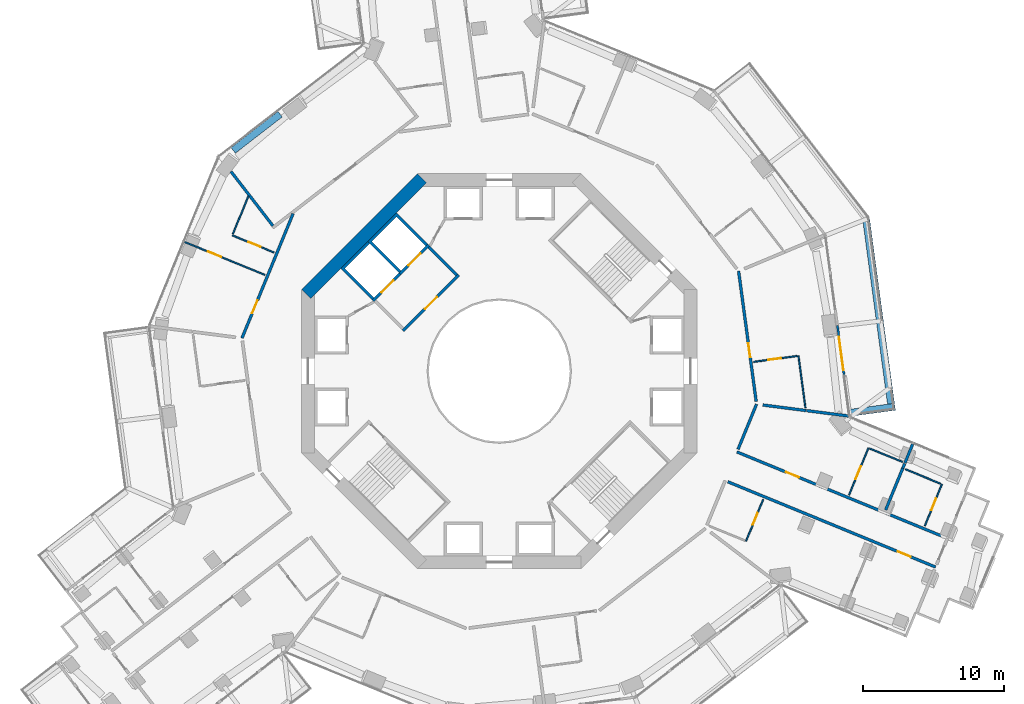
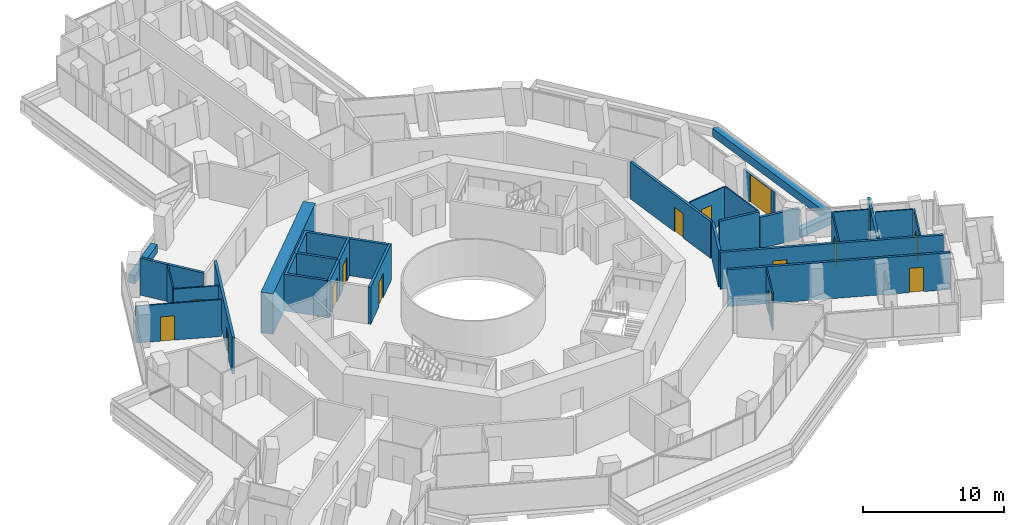
# One storey, part 21 of 27: 32 walls, 14 doors, 14 openings.
"""IFC4 building model written with IfcOpenShell, lengths in metres."""

from ifc_helpers import new_model, si_unit, direction, frame, frame_2d, origin, place, context, subcontext, project, spatial, polyline, rectangle, outline, extrude, material, layer, layer_set, type_object, element, fill, save


model = new_model("IFC4")

# Units and contexts
model_context = context("Model", 3, precision=1e-05, world=origin(), true_north=direction((0.0, 1.0)))
body_context = subcontext(model_context, "Body", "Model", "MODEL_VIEW")
ifc_project = project(units=[si_unit("LENGTHUNIT", "METRE"), si_unit("AREAUNIT", "SQUARE_METRE"), si_unit("VOLUMEUNIT", "CUBIC_METRE"), si_unit("PLANEANGLEUNIT", "RADIAN"), si_unit("MASSUNIT", "GRAM", prefix="KILO")], contexts=[model_context])

# Site, building, storey
site_placement = place(None, origin())
site = spatial("IfcSite", under=ifc_project, at=site_placement, CompositionType="ELEMENT")
building_placement = place(site_placement, origin())
building = spatial("IfcBuilding", under=site, at=building_placement, Name="Verdalira Terraces Hotel", CompositionType="ELEMENT")
storey_placement = place(building_placement, frame((0.0, 0.0, 64.5)))
storey = spatial("IfcBuildingStorey", under=building, at=storey_placement, Name="L14", CompositionType="ELEMENT", Elevation=64.5)

# Walls
ifc_material_1 = material(Name="Concrete C40", Category="concrete")
ifc_layer_1 = layer(ifc_material_1, 0.5)
ifc_layer_set_1 = layer_set([ifc_layer_1], Name="Balcony planter trough with tree")
wall_type_1 = type_object("IfcWallType", Name="Balcony planter trough with tree", PredefinedType="SOLIDWALL", material=ifc_layer_set_1)
wall_1_placement = place(storey_placement, frame((24.876953, -2.951904, 0.0), z_axis=(0.0, 0.0, 1.0), x_axis=(0.991031531, 0.133628231, 0.0)))
element("IfcWall", 1, at=wall_1_placement, inside=storey, type_object=wall_type_1, Name="Balcony planter", PredefinedType="SOLIDWALL", context=body_context, shape_type="SweptSolid", body=[
    extrude(rectangle(XDim=3.199219, YDim=0.5, at=frame_2d((1.599609, 0.0))), origin(), (0.0, 0.0, 1.0), 0.699951),
])
wall_2_placement = place(storey_placement, frame((27.766113, -2.310059, 0.0), z_axis=(0.0, 0.0, 1.0), x_axis=(-0.133634153, 0.991030733, 0.0)))
element("IfcWall", 2, at=wall_2_placement, inside=storey, type_object=wall_type_1, Name="Balcony planter", PredefinedType="SOLIDWALL", context=body_context, shape_type="SweptSolid", body=[
    extrude(rectangle(XDim=13.223389, YDim=0.5, at=frame_2d((6.611816, 0.0))), origin(), (0.0, 0.0, 1.0), 0.699951),
])

# Wall, opening, door
ifc_material_2 = material(Name="Moisture-resistant gypsum board partition")
ifc_layer_2 = layer(ifc_material_2, 0.10009765625)
ifc_layer_set_2 = layer_set([ifc_layer_2], Name="Bathroom partition 100 mm")
wall_type_2 = type_object("IfcWallType", Name="Bathroom partition 100 mm", PredefinedType="PARTITIONING", material=ifc_layer_set_2)
wall_3_placement = place(storey_placement, frame((-22.302002, 9.155762, 0.0), z_axis=(0.0, 0.0, 1.0), x_axis=(0.925087816, -0.379753253, 0.0)))
wall_3 = element("IfcWall", 3, at=wall_3_placement, inside=storey, type_object=wall_type_2, Name="Bathroom partition", PredefinedType="PARTITIONING", context=body_context, shape_type="SweptSolid", body=[
    extrude(rectangle(XDim=6.149902, YDim=0.100098, at=frame_2d((3.074951, 0.0))), origin(), (0.0, 0.0, 1.0), 3.189941),
])
opening_1_placement = place(wall_3_placement, frame((1.800049, 0.0, 0.0)))
opening_1 = element("IfcOpeningElement", 4, at=opening_1_placement, cuts=wall_3, Name="Opening L14-110", PredefinedType="OPENING", context=body_context, shape_type="SweptSolid", body=[
    extrude(rectangle(XDim=1.0, YDim=2.100098, at=frame_2d((0.5, 1.050049))), frame((0.0, 0.060059, 0.0), z_axis=(0.0, -1.0, 0.0), x_axis=(1.0, 0.0, 0.0)), (0.0, 0.0, 1.0), 0.120117),
])
ifc_material_3 = material(Name="Timber door", Category="wood")
door_type_1 = type_object("IfcDoorType", Name="Suite internal door 1000 x 2100", OperationType="NOTDEFINED", PredefinedType="DOOR", material=ifc_material_3)
door_1_placement = place(opening_1_placement, origin())
door_1 = element("IfcDoor", 5, at=door_1_placement, inside=storey, type_object=door_type_1, Name="Suite internal door 1404", OperationType="SINGLE_SWING_LEFT", OverallHeight=2.10009765625, OverallWidth=1.0, PredefinedType="DOOR", context=body_context, shape_type="SweptSolid", body=[
    extrude(rectangle(XDim=1.0, YDim=2.100098, at=frame_2d((0.5, 1.050049))), frame((0.0, 0.024902, 0.0), z_axis=(0.0, -1.0, 0.0), x_axis=(1.0, 0.0, 0.0)), (0.0, 0.0, 1.0), 0.050049),
])
fill(opening_1, door_1)

# Wall
wall_4_placement = place(storey_placement, frame((-17.776611, 12.411377, 0.0), z_axis=(0.0, 0.0, 1.0), x_axis=(-0.379788186, -0.925073475, 0.0)))
element("IfcWall", 6, at=wall_4_placement, inside=storey, type_object=wall_type_2, Name="Bathroom partition", PredefinedType="PARTITIONING", context=body_context, shape_type="SweptSolid", body=[
    extrude(rectangle(XDim=2.912109, YDim=0.100098, at=frame_2d((1.456055, 0.0))), origin(), (0.0, 0.0, 1.0), 3.189941),
])

# Wall, opening, door
wall_5_placement = place(storey_placement, frame((-18.92041, 9.625, 0.0), z_axis=(0.0, 0.0, 1.0), x_axis=(0.925097844, -0.379728822, 0.0)))
wall_5 = element("IfcWall", 7, at=wall_5_placement, inside=storey, type_object=wall_type_2, Name="Bathroom partition", PredefinedType="PARTITIONING", context=body_context, shape_type="SweptSolid", body=[
    extrude(rectangle(XDim=3.199951, YDim=0.100098, at=frame_2d((1.600098, 0.0))), origin(), (0.0, 0.0, 1.0), 3.189941),
])
opening_2_placement = place(wall_5_placement, frame((1.25, 0.0, 0.0)))
opening_2 = element("IfcOpeningElement", 8, at=opening_2_placement, cuts=wall_5, Name="Opening L14-111", PredefinedType="OPENING", context=body_context, shape_type="SweptSolid", body=[
    extrude(rectangle(XDim=0.899902, YDim=2.100098, at=frame_2d((0.449951, 1.050049))), frame((0.0, 0.060059, 0.0), z_axis=(0.0, -1.0, 0.0), x_axis=(1.0, 0.0, 0.0)), (0.0, 0.0, 1.0), 0.120117),
])
ifc_material_4 = material(Name="Timber door", Category="wood")
door_type_2 = type_object("IfcDoorType", Name="Bathroom door 900 x 2100", OperationType="NOTDEFINED", PredefinedType="DOOR", material=ifc_material_4)
door_2_placement = place(opening_2_placement, origin())
door_2 = element("IfcDoor", 9, at=door_2_placement, inside=storey, type_object=door_type_2, Name="Bathroom door 1404", OperationType="SINGLE_SWING_LEFT", OverallHeight=2.10009765625, OverallWidth=0.89990234375, PredefinedType="DOOR", context=body_context, shape_type="SweptSolid", body=[
    extrude(rectangle(XDim=0.899902, YDim=2.100098, at=frame_2d((0.449951, 1.050049))), frame((0.0, 0.024902, 0.0), z_axis=(0.0, -1.0, 0.0), x_axis=(1.0, 0.0, 0.0)), (0.0, 0.0, 1.0), 0.050049),
])
fill(opening_2, door_2)

wall_6_placement = place(storey_placement, frame((17.494141, -12.046387, 0.0), z_axis=(0.0, 0.0, 1.0), x_axis=(0.379728822, 0.925097844, 0.0)))
wall_6 = element("IfcWall", 10, at=wall_6_placement, inside=storey, type_object=wall_type_2, Name="Bathroom partition", PredefinedType="PARTITIONING", context=body_context, shape_type="SweptSolid", body=[
    extrude(rectangle(XDim=3.199951, YDim=0.100098, at=frame_2d((1.600098, 0.0))), origin(), (0.0, 0.0, 1.0), 3.189941),
])
opening_3_placement = place(wall_6_placement, frame((1.25, 0.0, 0.0)))
opening_3 = element("IfcOpeningElement", 11, at=opening_3_placement, cuts=wall_6, Name="Opening L14-126", PredefinedType="OPENING", context=body_context, shape_type="SweptSolid", body=[
    extrude(rectangle(XDim=0.899902, YDim=2.100098, at=frame_2d((0.449951, 1.050049))), frame((0.0, 0.060059, 0.0), z_axis=(0.0, -1.0, 0.0), x_axis=(1.0, 0.0, 0.0)), (0.0, 0.0, 1.0), 0.120117),
])
door_3_placement = place(opening_3_placement, origin())
door_3 = element("IfcDoor", 12, at=door_3_placement, inside=storey, type_object=door_type_2, Name="Bathroom door 1411", OperationType="SINGLE_SWING_LEFT", OverallHeight=2.10009765625, OverallWidth=0.89990234375, PredefinedType="DOOR", context=body_context, shape_type="SweptSolid", body=[
    extrude(rectangle(XDim=0.899902, YDim=2.100098, at=frame_2d((0.449951, 1.050049))), frame((0.0, 0.024902, 0.0), z_axis=(0.0, -1.0, 0.0), x_axis=(1.0, 0.0, 0.0)), (0.0, 0.0, 1.0), 0.050049),
])
fill(opening_3, door_3)

wall_7_placement = place(storey_placement, frame((21.104492, 1.071777, 0.0), z_axis=(0.0, 0.0, 1.0), x_axis=(-0.991029396, -0.133644063, 0.0)))
wall_7 = element("IfcWall", 13, at=wall_7_placement, inside=storey, type_object=wall_type_2, Name="Bathroom partition", PredefinedType="PARTITIONING", context=body_context, shape_type="SweptSolid", body=[
    extrude(rectangle(XDim=3.100098, YDim=0.100098, at=frame_2d((1.550049, 0.0))), origin(), (0.0, 0.0, 1.0), 3.189941),
])
opening_4_placement = place(wall_7_placement, frame((1.149902, 0.0, 0.0)))
opening_4 = element("IfcOpeningElement", 14, at=opening_4_placement, cuts=wall_7, Name="Opening L14-133", PredefinedType="OPENING", context=body_context, shape_type="SweptSolid", body=[
    extrude(rectangle(XDim=0.899902, YDim=2.100098, at=frame_2d((0.449951, 1.050049))), frame((0.0, 0.060059, 0.0), z_axis=(0.0, -1.0, 0.0), x_axis=(1.0, 0.0, 0.0)), (0.0, 0.0, 1.0), 0.120117),
])
door_4_placement = place(opening_4_placement, origin())
door_4 = element("IfcDoor", 15, at=door_4_placement, inside=storey, type_object=door_type_2, Name="Bathroom door 1414", OperationType="SINGLE_SWING_LEFT", OverallHeight=2.10009765625, OverallWidth=0.89990234375, PredefinedType="DOOR", context=body_context, shape_type="SweptSolid", body=[
    extrude(rectangle(XDim=0.899902, YDim=2.100098, at=frame_2d((0.449951, 1.050049))), frame((0.0, 0.024902, 0.0), z_axis=(0.0, -1.0, 0.0), x_axis=(1.0, 0.0, 0.0)), (0.0, 0.0, 1.0), 0.050049),
])
fill(opening_4, door_4)

# Wall
wall_8_placement = place(storey_placement, frame((21.203613, 1.084961, 0.0), z_axis=(0.0, 0.0, 1.0), x_axis=(0.13360997, -0.991033993, 0.0)))
element("IfcWall", 16, at=wall_8_placement, inside=storey, type_object=wall_type_2, Name="Bathroom partition", PredefinedType="PARTITIONING", context=body_context, shape_type="SweptSolid", body=[
    extrude(rectangle(XDim=3.703857, YDim=0.100098, at=frame_2d((1.852051, 0.0))), origin(), (0.0, 0.0, 1.0), 3.189941),
])

# Wall, opening, door
wall_9_placement = place(storey_placement, frame((26.161621, -5.443604, 0.0), z_axis=(0.0, 0.0, 1.0), x_axis=(-0.379794498, -0.925070884, 0.0)))
wall_9 = element("IfcWall", 17, at=wall_9_placement, inside=storey, type_object=wall_type_2, Name="Bathroom partition", PredefinedType="PARTITIONING", context=body_context, shape_type="SweptSolid", body=[
    extrude(rectangle(XDim=3.599854, YDim=0.100098, at=frame_2d((1.799805, 0.0))), origin(), (0.0, 0.0, 1.0), 3.189941),
])
opening_5_placement = place(wall_9_placement, frame((1.399902, 0.0, 0.0)))
opening_5 = element("IfcOpeningElement", 18, at=opening_5_placement, cuts=wall_9, Name="Opening L14-131", PredefinedType="OPENING", context=body_context, shape_type="SweptSolid", body=[
    extrude(rectangle(XDim=1.0, YDim=2.100098, at=frame_2d((0.5, 1.050049))), frame((0.0, 0.060059, 0.0), z_axis=(0.0, -1.0, 0.0), x_axis=(1.0, 0.0, 0.0)), (0.0, 0.0, 1.0), 0.120117),
])
ifc_material_5 = material(Name="Timber door", Category="wood")
door_type_3 = type_object("IfcDoorType", Name="Bathroom door 1000 x 2100", OperationType="NOTDEFINED", PredefinedType="DOOR", material=ifc_material_5)
door_5_placement = place(opening_5_placement, origin())
door_5 = element("IfcDoor", 19, at=door_5_placement, inside=storey, type_object=door_type_3, Name="Bathroom door 1413", OperationType="SINGLE_SWING_LEFT", OverallHeight=2.10009765625, OverallWidth=1.0, PredefinedType="DOOR", context=body_context, shape_type="SweptSolid", body=[
    extrude(rectangle(XDim=1.0, YDim=2.100098, at=frame_2d((0.5, 1.050049))), frame((0.0, 0.024902, 0.0), z_axis=(0.0, -1.0, 0.0), x_axis=(1.0, 0.0, 0.0)), (0.0, 0.0, 1.0), 0.050049),
])
fill(opening_5, door_5)

# Walls
wall_10_placement = place(storey_placement, frame((26.25415, -5.481445, 0.0), z_axis=(0.0, 0.0, 1.0), x_axis=(0.925078027, -0.379777098, 0.0)))
element("IfcWall", 20, at=wall_10_placement, inside=storey, type_object=wall_type_2, Name="Bathroom partition", PredefinedType="PARTITIONING", context=body_context, shape_type="SweptSolid", body=[
    extrude(rectangle(XDim=2.5, YDim=0.100098, at=frame_2d((1.25, 0.0))), origin(), (0.0, 0.0, 1.0), 3.189941),
])
wall_11_placement = place(storey_placement, frame((31.282715, -7.978271, 0.0), z_axis=(0.0, 0.0, 1.0), x_axis=(-0.925083925, 0.37976273, 0.0)))
element("IfcWall", 21, at=wall_11_placement, inside=storey, type_object=wall_type_2, Name="Bathroom partition", PredefinedType="PARTITIONING", context=body_context, shape_type="SweptSolid", body=[
    extrude(rectangle(XDim=2.700195, YDim=0.100098, at=frame_2d((1.350098, 0.0))), origin(), (0.0, 0.0, 1.0), 3.189941),
])

# Wall, opening, door
wall_12_placement = place(storey_placement, frame((30.159912, -10.976562, 0.0), z_axis=(0.0, 0.0, 1.0), x_axis=(0.379702022, 0.925108845, 0.0)))
wall_12 = element("IfcWall", 22, at=wall_12_placement, inside=storey, type_object=wall_type_2, Name="Bathroom partition", PredefinedType="PARTITIONING", context=body_context, shape_type="SweptSolid", body=[
    extrude(rectangle(XDim=3.200195, YDim=0.100098, at=frame_2d((1.600098, 0.0))), origin(), (0.0, 0.0, 1.0), 3.189941),
])
opening_6_placement = place(wall_12_placement, frame((1.199951, 0.0, 0.0)))
opening_6 = element("IfcOpeningElement", 23, at=opening_6_placement, cuts=wall_12, Name="Opening L14-129", PredefinedType="OPENING", context=body_context, shape_type="SweptSolid", body=[
    extrude(rectangle(XDim=0.899902, YDim=2.100098, at=frame_2d((0.449951, 1.050049))), frame((0.0, 0.060059, 0.0), z_axis=(0.0, -1.0, 0.0), x_axis=(1.0, 0.0, 0.0)), (0.0, 0.0, 1.0), 0.120117),
])
door_6_placement = place(opening_6_placement, origin())
door_6 = element("IfcDoor", 24, at=door_6_placement, inside=storey, type_object=door_type_2, Name="Bathroom door 1412", OperationType="SINGLE_SWING_RIGHT", OverallHeight=2.10009765625, OverallWidth=0.89990234375, PredefinedType="DOOR", context=body_context, shape_type="SweptSolid", body=[
    extrude(rectangle(XDim=0.899902, YDim=2.100098, at=frame_2d((0.449951, 1.050049))), frame((0.0, 0.024902, 0.0), z_axis=(0.0, -1.0, 0.0), x_axis=(1.0, 0.0, 0.0)), (0.0, 0.0, 1.0), 0.050049),
])
fill(opening_6, door_6)

# Wall
ifc_material_6 = material(Name="Concrete C50", Category="concrete")
ifc_layer_3 = layer(ifc_material_6, 0.199951171875)
ifc_layer_set_3 = layer_set([ifc_layer_3], Name="Core RC wall 200 C50")
wall_type_3 = type_object("IfcWallType", Name="Core RC wall 200 C50", PredefinedType="SOLIDWALL", material=ifc_layer_set_3)
wall_13_placement = place(storey_placement, origin())
element("IfcWall", 25, at=wall_13_placement, inside=storey, type_object=wall_type_3, Name="L14 shaft wall F1", PredefinedType="SOLIDWALL", context=body_context, shape_type="SweptSolid", body=[
    extrude(outline(polyline([(-9.33374, 9.192383), (-7.283203, 11.24292), (-5.055908, 9.015625), (-5.197266, 8.874268), (-7.283203, 10.960205), (-9.051025, 9.192383), (-6.965088, 7.106445), (-7.106445, 6.965088), (-9.33374, 9.192383)])), origin(), (0.0, 0.0, 1.0), 3.189941),
])

# Wall, opening, door
wall_14_placement = place(storey_placement, frame((-4.985107, 8.944824, 0.0), z_axis=(0.0, 0.0, 1.0), x_axis=(-0.707106781, -0.707106781, 0.0)))
wall_14 = element("IfcWall", 26, at=wall_14_placement, inside=storey, type_object=wall_type_3, Name="L14 shaft front wall F1", PredefinedType="SOLIDWALL", context=body_context, shape_type="SweptSolid", body=[
    extrude(rectangle(XDim=2.899902, YDim=0.199951, at=frame_2d((1.449951, 0.0))), origin(), (0.0, 0.0, 1.0), 3.189941),
])
opening_7_placement = place(wall_14_placement, frame((0.850098, 0.0, 0.0)))
opening_7 = element("IfcOpeningElement", 27, at=opening_7_placement, cuts=wall_14, Name="Opening LD-L14-807", PredefinedType="OPENING", context=body_context, shape_type="SweptSolid", body=[
    extrude(rectangle(XDim=1.199951, YDim=2.100098, at=frame_2d((0.600098, 1.050049))), frame((0.0, 0.109863, 0.0), z_axis=(0.0, -1.0, 0.0), x_axis=(1.0, 0.0, 0.0)), (0.0, 0.0, 1.0), 0.219971),
])
ifc_material_7 = material(Name="Stainless steel", Category="steel")
door_type_4 = type_object("IfcDoorType", Name="Landing door 1200 x 2100", OperationType="NOTDEFINED", PredefinedType="DOOR", material=ifc_material_7)
door_7_placement = place(opening_7_placement, origin())
door_7 = element("IfcDoor", 28, at=door_7_placement, inside=storey, type_object=door_type_4, Name="Lift landing door LF11 L14", OperationType="DOUBLE_DOOR_SLIDING", OverallHeight=2.10009765625, OverallWidth=1.199951171875, PredefinedType="DOOR", context=body_context, shape_type="SweptSolid", body=[
    extrude(rectangle(XDim=1.199951, YDim=2.100098, at=frame_2d((0.600098, 1.050049))), frame((0.0, 0.024902, 0.0), z_axis=(0.0, -1.0, 0.0), x_axis=(1.0, 0.0, 0.0)), (0.0, 0.0, 1.0), 0.050049),
])
fill(opening_7, door_7)

# Wall
wall_15_placement = place(storey_placement, origin())
element("IfcWall", 29, at=wall_15_placement, inside=storey, type_object=wall_type_3, Name="L14 shaft wall F2", PredefinedType="SOLIDWALL", context=body_context, shape_type="SweptSolid", body=[
    extrude(outline(polyline([(-11.24292, 7.283203), (-9.33374, 9.192383), (-9.192383, 9.051025), (-10.960205, 7.283203), (-8.874268, 5.197266), (-9.015625, 5.055908), (-11.24292, 7.283203)])), origin(), (0.0, 0.0, 1.0), 3.189941),
])

# Wall, opening, door
wall_16_placement = place(storey_placement, frame((-7.035645, 6.894287, 0.0), z_axis=(0.0, 0.0, 1.0), x_axis=(-0.707106781, -0.707106781, 0.0)))
wall_16 = element("IfcWall", 30, at=wall_16_placement, inside=storey, type_object=wall_type_3, Name="L14 shaft front wall F2", PredefinedType="SOLIDWALL", context=body_context, shape_type="SweptSolid", body=[
    extrude(rectangle(XDim=2.699951, YDim=0.199951, at=frame_2d((1.350098, 0.0))), origin(), (0.0, 0.0, 1.0), 3.189941),
])
opening_8_placement = place(wall_16_placement, frame((0.649902, 0.0, 0.0)))
opening_8 = element("IfcOpeningElement", 31, at=opening_8_placement, cuts=wall_16, Name="Opening LD-L14-808", PredefinedType="OPENING", context=body_context, shape_type="SweptSolid", body=[
    extrude(rectangle(XDim=1.199951, YDim=2.100098, at=frame_2d((0.600098, 1.050049))), frame((0.0, 0.109863, 0.0), z_axis=(0.0, -1.0, 0.0), x_axis=(1.0, 0.0, 0.0)), (0.0, 0.0, 1.0), 0.219971),
])
door_8_placement = place(opening_8_placement, origin())
door_8 = element("IfcDoor", 32, at=door_8_placement, inside=storey, type_object=door_type_4, Name="Lift landing door LF12 L14", OperationType="DOUBLE_DOOR_SLIDING", OverallHeight=2.10009765625, OverallWidth=1.199951171875, PredefinedType="DOOR", context=body_context, shape_type="SweptSolid", body=[
    extrude(rectangle(XDim=1.199951, YDim=2.100098, at=frame_2d((0.600098, 1.050049))), frame((0.0, 0.024902, 0.0), z_axis=(0.0, -1.0, 0.0), x_axis=(1.0, 0.0, 0.0)), (0.0, 0.0, 1.0), 0.050049),
])
fill(opening_8, door_8)

wall_17_placement = place(storey_placement, frame((-2.86377, 6.823486, 0.0), z_axis=(0.0, 0.0, 1.0), x_axis=(-0.707106781, -0.707106781, 0.0)))
wall_17 = element("IfcWall", 33, at=wall_17_placement, inside=storey, type_object=wall_type_3, Name="L14 fire lobby wall", PredefinedType="SOLIDWALL", context=body_context, shape_type="SweptSolid", body=[
    extrude(rectangle(XDim=5.599854, YDim=0.199951, at=frame_2d((2.799805, 0.0))), origin(), (0.0, 0.0, 1.0), 3.189941),
])
opening_9_placement = place(wall_17_placement, frame((2.199951, 0.0, 0.0)))
opening_9 = element("IfcOpeningElement", 34, at=opening_9_placement, cuts=wall_17, Name="Opening L14-819", PredefinedType="OPENING", context=body_context, shape_type="SweptSolid", body=[
    extrude(rectangle(XDim=1.199951, YDim=2.100098, at=frame_2d((0.600098, 1.050049))), frame((0.0, 0.109863, 0.0), z_axis=(0.0, -1.0, 0.0), x_axis=(1.0, 0.0, 0.0)), (0.0, 0.0, 1.0), 0.219971),
])
ifc_material_8 = material(Name="Steel fire door", Category="steel")
door_type_5 = type_object("IfcDoorType", Name="Lobby door 1200 x 2100", OperationType="NOTDEFINED", PredefinedType="DOOR", material=ifc_material_8)
door_9_placement = place(opening_9_placement, origin())
door_9 = element("IfcDoor", 35, at=door_9_placement, inside=storey, type_object=door_type_5, Name="Fire lobby door L14", OperationType="SINGLE_SWING_LEFT", OverallHeight=2.10009765625, OverallWidth=1.199951171875, PredefinedType="DOOR", context=body_context, shape_type="SweptSolid", body=[
    extrude(rectangle(XDim=1.199951, YDim=2.100098, at=frame_2d((0.600098, 1.050049))), frame((0.0, 0.024902, 0.0), z_axis=(0.0, -1.0, 0.0), x_axis=(1.0, 0.0, 0.0)), (0.0, 0.0, 1.0), 0.050049),
])
fill(opening_9, door_9)

# Walls
wall_18_placement = place(storey_placement, frame((-3.005127, 6.823486, 0.0), z_axis=(0.0, 0.0, 1.0), x_axis=(-0.707106781, 0.707106781, 0.0)))
element("IfcWall", 36, at=wall_18_placement, inside=storey, type_object=wall_type_3, Name="L14 fire lobby wall", PredefinedType="SOLIDWALL", context=body_context, shape_type="SweptSolid", body=[
    extrude(rectangle(XDim=2.800049, YDim=0.199951, at=frame_2d((1.399902, 0.0))), origin(), (0.0, 0.0, 1.0), 3.189941),
])
ifc_material_9 = material(Name="Concrete C70", Category="concrete")
ifc_layer_4 = layer(ifc_material_9, 0.89990234375)
ifc_layer_set_4 = layer_set([ifc_layer_4], Name="Core wall 900 C70")
wall_type_4 = type_object("IfcWallType", Name="Core wall 900 C70", PredefinedType="SHEAR", material=ifc_layer_set_4)
wall_19_placement = place(storey_placement, frame((-5.480713, 13.681885, 0.0), z_axis=(0.0, 0.0, 1.0), x_axis=(-0.707106781, -0.707106781, 0.0)))
element("IfcWall", 37, at=wall_19_placement, inside=storey, type_object=wall_type_4, Name="Core wall CW-L14-4", PredefinedType="SHEAR", context=body_context, shape_type="SweptSolid", body=[
    extrude(rectangle(XDim=11.598145, YDim=0.899902, at=frame_2d((5.799072, 0.0))), origin(), (0.0, 0.0, 1.0), 3.5),
])
ifc_material_10 = material(Name="Fire-rated gypsum board wall")
ifc_layer_5 = layer(ifc_material_10, 0.199951171875)
ifc_layer_set_5 = layer_set([ifc_layer_5], Name="Demising wall 200 mm")
wall_type_5 = type_object("IfcWallType", Name="Demising wall 200 mm", PredefinedType="SOLIDWALL", material=ifc_layer_set_5)
wall_20_placement = place(storey_placement, frame((18.678467, -2.399414, 0.0), z_axis=(0.0, 0.0, 1.0), x_axis=(0.991846962, -0.127434708, 0.0)))
element("IfcWall", 38, at=wall_20_placement, inside=storey, type_object=wall_type_5, Name="Demising wall", PredefinedType="SOLIDWALL", context=body_context, shape_type="SweptSolid", body=[
    extrude(rectangle(XDim=3.074951, YDim=0.199951, at=frame_2d((1.537598, 0.0))), origin(), (0.0, 0.0, 1.0), 3.189941),
])
wall_21_placement = place(storey_placement, frame((27.384521, -9.837158, 0.0), z_axis=(0.0, 0.0, 1.0), x_axis=(0.379794115, 0.925071041, 0.0)))
element("IfcWall", 39, at=wall_21_placement, inside=storey, type_object=wall_type_5, Name="Demising wall", PredefinedType="SOLIDWALL", context=body_context, shape_type="SweptSolid", body=[
    extrude(rectangle(XDim=3.199951, YDim=0.199951, at=frame_2d((1.600098, 0.0))), origin(), (0.0, 0.0, 1.0), 3.189941),
])
wall_22_placement = place(storey_placement, frame((28.599854, -6.876953, 0.0), z_axis=(0.0, 0.0, 1.0), x_axis=(0.379982422, 0.924993707, 0.0)))
element("IfcWall", 40, at=wall_22_placement, inside=storey, type_object=wall_type_5, Name="Demising wall", PredefinedType="SOLIDWALL", context=body_context, shape_type="SweptSolid", body=[
    extrude(rectangle(XDim=0.352051, YDim=0.199951, at=frame_2d((0.176025, 0.0))), origin(), (0.0, 0.0, 1.0), 3.189941),
])
wall_23_placement = place(storey_placement, frame((28.751221, -6.508789, 0.0), z_axis=(0.0, 0.0, 1.0), x_axis=(0.379667061, 0.925123193, 0.0)))
element("IfcWall", 41, at=wall_23_placement, inside=storey, type_object=wall_type_5, Name="Demising wall", PredefinedType="SOLIDWALL", context=body_context, shape_type="SweptSolid", body=[
    extrude(rectangle(XDim=1.451904, YDim=0.199951, at=frame_2d((0.726074, 0.0))), origin(), (0.0, 0.0, 1.0), 3.189941),
])
ifc_material_11 = material(Name="Fire-rated gypsum board wall")
ifc_layer_6 = layer(ifc_material_11, 0.199951171875)
ifc_layer_set_6 = layer_set([ifc_layer_6], Name="Demising wall 200 mm to beam soffit")
wall_type_6 = type_object("IfcWallType", Name="Demising wall 200 mm to beam soffit", PredefinedType="SOLIDWALL", material=ifc_layer_set_6)
wall_24_placement = place(storey_placement, frame((21.773682, -2.797119, 0.0), z_axis=(0.0, 0.0, 1.0), x_axis=(0.991855686, -0.127366788, 0.0)))
element("IfcWall", 42, at=wall_24_placement, inside=storey, type_object=wall_type_6, Name="Demising wall", PredefinedType="SOLIDWALL", context=body_context, shape_type="SweptSolid", body=[
    extrude(rectangle(XDim=3.01123, YDim=0.199951, at=frame_2d((1.505615, 0.0))), origin(), (0.0, 0.0, 1.0), 2.689941),
])

# Wall, opening, door
ifc_material_12 = material(Name="Fire-rated gypsum board wall")
ifc_layer_7 = layer(ifc_material_12, 0.199951171875)
ifc_layer_set_7 = layer_set([ifc_layer_7], Name="Guest corridor wall 200 mm")
wall_type_7 = type_object("IfcWallType", Name="Guest corridor wall 200 mm", PredefinedType="SOLIDWALL", material=ifc_layer_set_7)
wall_25_placement = place(storey_placement, frame((-18.234863, 2.342285, 0.0), z_axis=(0.0, 0.0, 1.0), x_axis=(0.379774903, 0.925078928, 0.0)))
wall_25 = element("IfcWall", 43, at=wall_25_placement, inside=storey, type_object=wall_type_7, Name="Guest corridor wall", PredefinedType="SOLIDWALL", context=body_context, shape_type="SweptSolid", body=[
    extrude(rectangle(XDim=9.536865, YDim=0.199951, at=frame_2d((4.768555, 0.0))), origin(), (0.0, 0.0, 1.0), 3.189941),
])
opening_10_placement = place(wall_25_placement, frame((1.899902, 0.0, 0.0)))
opening_10 = element("IfcOpeningElement", 44, at=opening_10_placement, cuts=wall_25, Name="Opening L14-109", PredefinedType="OPENING", context=body_context, shape_type="SweptSolid", body=[
    extrude(rectangle(XDim=1.0, YDim=2.100098, at=frame_2d((0.5, 1.050049))), frame((0.0, 0.109863, 0.0), z_axis=(0.0, -1.0, 0.0), x_axis=(1.0, 0.0, 0.0)), (0.0, 0.0, 1.0), 0.219971),
])
ifc_material_13 = material(Name="Timber fire door", Category="wood")
door_type_6 = type_object("IfcDoorType", Name="Guest entry door 1000 x 2100", OperationType="NOTDEFINED", PredefinedType="DOOR", material=ifc_material_13)
door_10_placement = place(opening_10_placement, origin())
door_10 = element("IfcDoor", 45, at=door_10_placement, inside=storey, type_object=door_type_6, Name="Guest entry door 1404", OperationType="SINGLE_SWING_LEFT", OverallHeight=2.10009765625, OverallWidth=1.0, PredefinedType="DOOR", context=body_context, shape_type="SweptSolid", body=[
    extrude(rectangle(XDim=1.0, YDim=2.100098, at=frame_2d((0.5, 1.050049))), frame((0.0, 0.024902, 0.0), z_axis=(0.0, -1.0, 0.0), x_axis=(1.0, 0.0, 0.0)), (0.0, 0.0, 1.0), 0.050049),
])
fill(opening_10, door_10)

# Wall
wall_26_placement = place(storey_placement, frame((16.921387, -5.541504, 0.0), z_axis=(0.0, 0.0, 1.0), x_axis=(0.379798041, 0.925069429, 0.0)))
element("IfcWall", 46, at=wall_26_placement, inside=storey, type_object=wall_type_7, Name="Guest corridor wall", PredefinedType="SOLIDWALL", context=body_context, shape_type="SweptSolid", body=[
    extrude(rectangle(XDim=3.458252, YDim=0.199951, at=frame_2d((1.729004, 0.0))), origin(), (0.0, 0.0, 1.0), 3.189941),
])

# Wall, opening, door
wall_27_placement = place(storey_placement, frame((16.963135, 7.088867, 0.0), z_axis=(0.0, 0.0, 1.0), x_axis=(0.133643157, -0.991029519, 0.0)))
wall_27 = element("IfcWall", 47, at=wall_27_placement, inside=storey, type_object=wall_type_7, Name="Guest corridor wall", PredefinedType="SOLIDWALL", context=body_context, shape_type="SweptSolid", body=[
    extrude(rectangle(XDim=9.31665, YDim=0.199951, at=frame_2d((4.658203, 0.0))), origin(), (0.0, 0.0, 1.0), 3.189941),
])
opening_11_placement = place(wall_27_placement, frame((5.149902, 0.0, 0.0)))
opening_11 = element("IfcOpeningElement", 48, at=opening_11_placement, cuts=wall_27, Name="Opening L14-132", PredefinedType="OPENING", context=body_context, shape_type="SweptSolid", body=[
    extrude(rectangle(XDim=1.0, YDim=2.100098, at=frame_2d((0.5, 1.050049))), frame((0.0, 0.109863, 0.0), z_axis=(0.0, -1.0, 0.0), x_axis=(1.0, 0.0, 0.0)), (0.0, 0.0, 1.0), 0.219971),
])
door_11_placement = place(opening_11_placement, origin())
door_11 = element("IfcDoor", 49, at=door_11_placement, inside=storey, type_object=door_type_6, Name="Guest entry door 1414", OperationType="SINGLE_SWING_LEFT", OverallHeight=2.10009765625, OverallWidth=1.0, PredefinedType="DOOR", context=body_context, shape_type="SweptSolid", body=[
    extrude(rectangle(XDim=1.0, YDim=2.100098, at=frame_2d((0.5, 1.050049))), frame((0.0, 0.024902, 0.0), z_axis=(0.0, -1.0, 0.0), x_axis=(1.0, 0.0, 0.0)), (0.0, 0.0, 1.0), 0.050049),
])
fill(opening_11, door_11)

wall_28_placement = place(storey_placement, frame((30.923096, -13.884277, 0.0), z_axis=(0.0, 0.0, 1.0), x_axis=(-0.92507774, 0.379777796, 0.0)))
wall_28 = element("IfcWall", 50, at=wall_28_placement, inside=storey, type_object=wall_type_7, Name="Guest corridor wall", PredefinedType="SOLIDWALL", context=body_context, shape_type="SweptSolid", body=[
    extrude(rectangle(XDim=15.920898, YDim=0.199951, at=frame_2d((7.960449, 0.0))), origin(), (0.0, 0.0, 1.0), 3.189941),
])
opening_12_placement = place(wall_28_placement, frame((1.899902, 0.0, 0.0)))
opening_12 = element("IfcOpeningElement", 51, at=opening_12_placement, cuts=wall_28, Name="Opening L14-124", PredefinedType="OPENING", context=body_context, shape_type="SweptSolid", body=[
    extrude(rectangle(XDim=1.0, YDim=2.100098, at=frame_2d((0.5, 1.050049))), frame((0.0, 0.109863, 0.0), z_axis=(0.0, -1.0, 0.0), x_axis=(1.0, 0.0, 0.0)), (0.0, 0.0, 1.0), 0.219971),
])
door_12_placement = place(opening_12_placement, origin())
door_12 = element("IfcDoor", 52, at=door_12_placement, inside=storey, type_object=door_type_6, Name="Guest entry door 1411", OperationType="SINGLE_SWING_LEFT", OverallHeight=2.10009765625, OverallWidth=1.0, PredefinedType="DOOR", context=body_context, shape_type="SweptSolid", body=[
    extrude(rectangle(XDim=1.0, YDim=2.100098, at=frame_2d((0.5, 1.050049))), frame((0.0, 0.024902, 0.0), z_axis=(0.0, -1.0, 0.0), x_axis=(1.0, 0.0, 0.0)), (0.0, 0.0, 1.0), 0.050049),
])
fill(opening_12, door_12)

wall_29_placement = place(storey_placement, frame((16.845703, -5.726807, 0.0), z_axis=(0.0, 0.0, 1.0), x_axis=(0.92507774, -0.379777796, 0.0)))
wall_29 = element("IfcWall", 53, at=wall_29_placement, inside=storey, type_object=wall_type_7, Name="Guest corridor wall", PredefinedType="SOLIDWALL", context=body_context, shape_type="SweptSolid", body=[
    extrude(rectangle(XDim=15.920898, YDim=0.199951, at=frame_2d((7.960449, 0.0))), origin(), (0.0, 0.0, 1.0), 3.189941),
])
opening_13_placement = place(wall_29_placement, frame((3.75, 0.0, 0.0)))
opening_13 = element("IfcOpeningElement", 54, at=opening_13_placement, cuts=wall_29, Name="Opening L14-130", PredefinedType="OPENING", context=body_context, shape_type="SweptSolid", body=[
    extrude(rectangle(XDim=1.0, YDim=2.100098, at=frame_2d((0.5, 1.050049))), frame((0.0, 0.109863, 0.0), z_axis=(0.0, -1.0, 0.0), x_axis=(1.0, 0.0, 0.0)), (0.0, 0.0, 1.0), 0.219971),
])
door_13_placement = place(opening_13_placement, origin())
door_13 = element("IfcDoor", 55, at=door_13_placement, inside=storey, type_object=door_type_6, Name="Guest entry door 1413", OperationType="SINGLE_SWING_LEFT", OverallHeight=2.10009765625, OverallWidth=1.0, PredefinedType="DOOR", context=body_context, shape_type="SweptSolid", body=[
    extrude(rectangle(XDim=1.0, YDim=2.100098, at=frame_2d((0.5, 1.050049))), frame((0.0, 0.024902, 0.0), z_axis=(0.0, -1.0, 0.0), x_axis=(1.0, 0.0, 0.0)), (0.0, 0.0, 1.0), 0.050049),
])
fill(opening_13, door_13)

# Walls
ifc_material_14 = material(Name="Terracotta cladding", Category="masonry")
ifc_layer_8 = layer(ifc_material_14, 0.199951171875)
ifc_layer_set_8 = layer_set([ifc_layer_8], Name="Loggia back wall 200")
wall_type_8 = type_object("IfcWallType", Name="Loggia back wall 200", PredefinedType="SOLIDWALL", material=ifc_layer_set_8)
wall_30_placement = place(storey_placement, frame((-19.013428, 14.147949, 0.0), z_axis=(0.0, 0.0, 1.0), x_axis=(0.611238783, -0.79144624, 0.0)))
element("IfcWall", 56, at=wall_30_placement, inside=storey, type_object=wall_type_8, Name="Loggia side wall", PredefinedType="SOLIDWALL", context=body_context, shape_type="SweptSolid", body=[
    extrude(rectangle(XDim=4.86084, YDim=0.199951, at=frame_2d((2.43042, 0.0))), origin(), (0.0, 0.0, 1.0), 3.189941),
])
ifc_material_15 = material(Name="Concrete C40", Category="concrete")
ifc_layer_9 = layer(ifc_material_15, 0.5)
ifc_layer_set_9 = layer_set([ifc_layer_9], Name="Loggia planter trough with tree")
wall_type_9 = type_object("IfcWallType", Name="Loggia planter trough with tree", PredefinedType="SOLIDWALL", material=ifc_layer_set_9)
wall_31_placement = place(storey_placement, frame((-15.532471, 18.212646, 0.0), z_axis=(0.0, 0.0, 1.0), x_axis=(-0.791433349, -0.611255474, 0.0)))
element("IfcWall", 57, at=wall_31_placement, inside=storey, type_object=wall_type_9, Name="Loggia planter", PredefinedType="SOLIDWALL", context=body_context, shape_type="SweptSolid", body=[
    extrude(rectangle(XDim=4.197754, YDim=0.5, at=frame_2d((2.098877, 0.0))), origin(), (0.0, 0.0, 1.0), 0.699951),
])

# Wall, opening, door
ifc_material_16 = material(Name="Terracotta cladding", Category="masonry")
ifc_layer_10 = layer(ifc_material_16, 0.14990234375)
ifc_layer_set_10 = layer_set([ifc_layer_10], Name="Terracotta door pier 150")
wall_type_10 = type_object("IfcWallType", Name="Terracotta door pier 150", PredefinedType="SOLIDWALL", material=ifc_layer_set_10)
wall_32_placement = place(storey_placement, frame((24.44751, -0.335938, 0.0), z_axis=(0.0, 0.0, 1.0), x_axis=(-0.133660502, 0.991027179, 0.0)))
wall_32 = element("IfcWall", 58, at=wall_32_placement, inside=storey, type_object=wall_type_10, Name="Terracotta door pier", PredefinedType="SOLIDWALL", context=body_context, shape_type="SweptSolid", body=[
    extrude(rectangle(XDim=3.600098, YDim=0.149902, at=frame_2d((1.800049, 0.0))), origin(), (0.0, 0.0, 1.0), 2.425049),
])
opening_14_placement = place(wall_32_placement, frame((0.399902, 0.0, 0.0)))
opening_14 = element("IfcOpeningElement", 59, at=opening_14_placement, cuts=wall_32, Name="Opening L14-B18", PredefinedType="OPENING", context=body_context, shape_type="SweptSolid", body=[
    extrude(rectangle(XDim=2.399902, YDim=2.399902, at=frame_2d((1.199951, 1.199951))), frame((0.0, 0.084961, 0.0), z_axis=(0.0, -1.0, 0.0), x_axis=(1.0, 0.0, 0.0)), (0.0, 0.0, 1.0), 0.169922),
])
ifc_material_17 = material(Name="Clear glass", Category="glass")
door_type_7 = type_object("IfcDoorType", Name="Balcony sliding door 2400x2400", OperationType="NOTDEFINED", PredefinedType="DOOR", material=ifc_material_17)
door_14_placement = place(opening_14_placement, origin())
door_14 = element("IfcDoor", 60, at=door_14_placement, inside=storey, type_object=door_type_7, Name="Balcony sliding door", OperationType="SLIDING_TO_RIGHT", OverallHeight=2.39990234375, OverallWidth=2.39990234375, PredefinedType="DOOR", context=body_context, shape_type="SweptSolid", body=[
    extrude(rectangle(XDim=2.399902, YDim=2.399902, at=frame_2d((1.199951, 1.199951))), frame((0.0, 0.024902, 0.0), z_axis=(0.0, -1.0, 0.0), x_axis=(1.0, 0.0, 0.0)), (0.0, 0.0, 1.0), 0.050049),
])
fill(opening_14, door_14)

save(model, "model.ifc")
